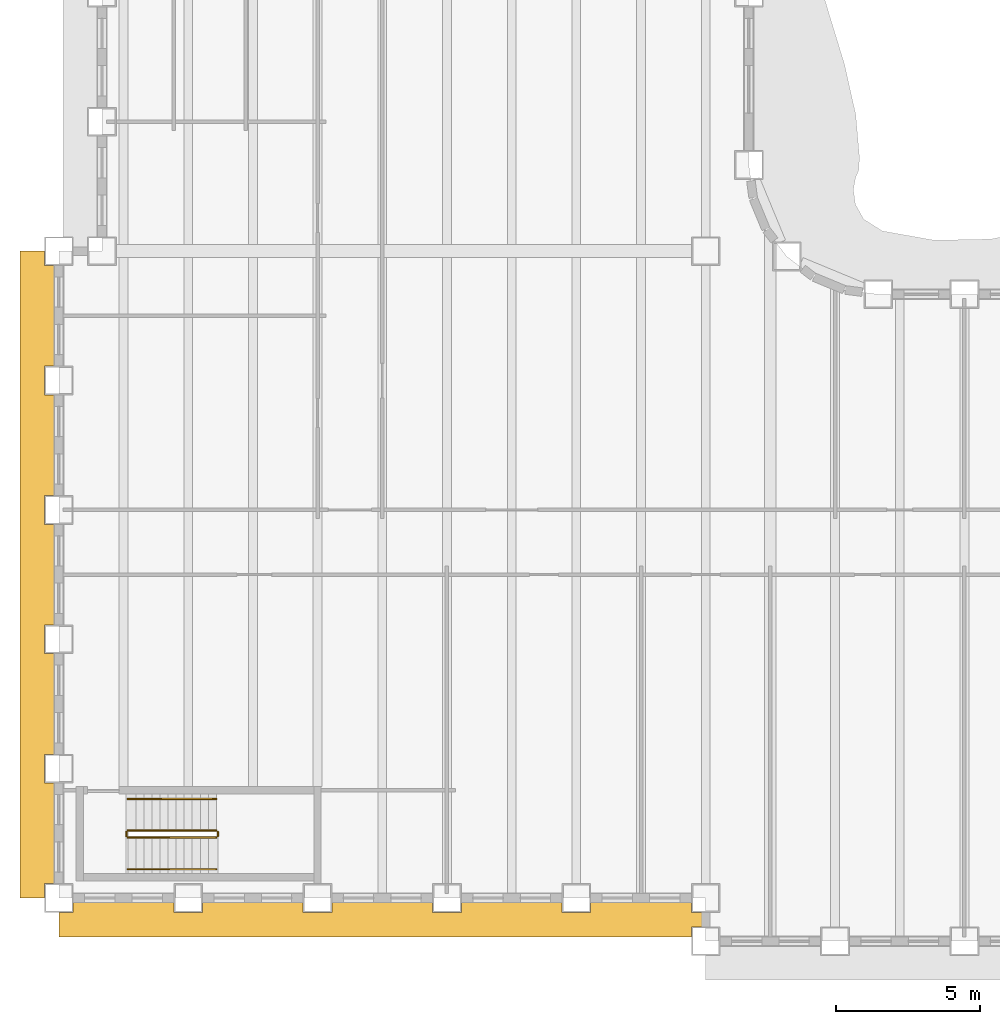
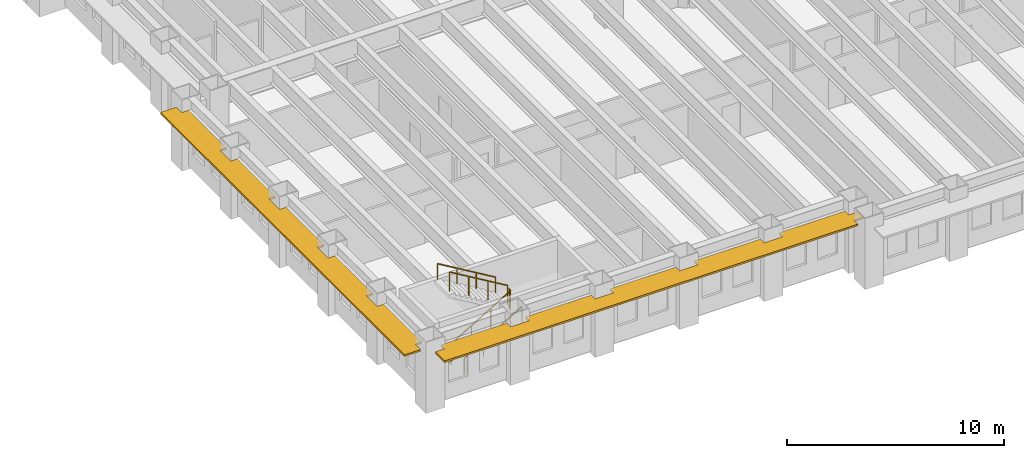
# One storey, part 11 of 16: 6 railings, 2 shading devices.
"""IFC4 building model written with IfcOpenShell, lengths in metres."""

from ifc_helpers import new_model, si_unit, direction, frame, origin, origin_2d, place, context, subcontext, project, spatial, polyline, rectangle, outline, extrude, material, layer, layer_set, type_object, element, save


model = new_model("IFC4")

# Units and contexts
model_context = context("Model", 3, precision=1e-05, world=origin(), true_north=direction((0.0, 1.0)))
body_context = subcontext(model_context, "Body", "Model", "MODEL_VIEW")
ifc_project = project(units=[si_unit("LENGTHUNIT", "METRE"), si_unit("AREAUNIT", "SQUARE_METRE"), si_unit("VOLUMEUNIT", "CUBIC_METRE"), si_unit("PLANEANGLEUNIT", "RADIAN"), si_unit("MASSUNIT", "GRAM", prefix="KILO")], contexts=[model_context])

# Site, building, storey
site_placement = place(None, origin())
site = spatial("IfcSite", under=ifc_project, at=site_placement, CompositionType="ELEMENT")
building_placement = place(site_placement, origin())
building = spatial("IfcBuilding", under=site, at=building_placement, Name="Sennacour Bend Tower", CompositionType="ELEMENT")
storey_placement = place(building_placement, frame((0.0, 0.0, 123.0)))
storey = spatial("IfcBuildingStorey", under=building, at=storey_placement, Name="L28", CompositionType="ELEMENT", Elevation=123.0)

# Railings
ifc_material_1 = material(Name="Stainless steel", Category="steel")
railing_type_1 = type_object("IfcRailingType", Name="RL-GUARD-1100", PredefinedType="GUARDRAIL", material=ifc_material_1)
railing_1_placement = place(storey_placement, frame((2.39990234375, 2.10009765625, 0.166748046875)))
element("IfcRailing", 1, at=railing_1_placement, inside=storey, type_object=railing_type_1, Name="L28 SK1 stair guard 1", PredefinedType="GUARDRAIL", context=body_context, shape_type="SweptSolid", body=[
    extrude(rectangle(XDim=0.048095703125, YDim=0.048095703125, at=origin_2d()), frame((0.0, 0.0, 1.076171875), z_axis=(0.859308565015, 0.0, 0.511457515432), x_axis=(0.0, 1.0, 0.0)), (0.0, 0.0, 1.0), 3.58447265625),
    extrude(rectangle(XDim=0.0419921875, YDim=0.0419921875, at=origin_2d()), origin(), (0.0, 0.0, 1.0), 1.052001953125),
    extrude(rectangle(XDim=0.0419921875, YDim=0.0419921875, at=origin_2d()), frame((1.026611328125, 0.0, 0.611083984375)), (0.0, 0.0, 1.0), 1.052001953125),
    extrude(rectangle(XDim=0.0419921875, YDim=0.0419921875, at=origin_2d()), frame((2.053466796875, 0.0, 1.22216796875)), (0.0, 0.0, 1.0), 1.052001953125),
    extrude(rectangle(XDim=0.0419921875, YDim=0.0419921875, at=origin_2d()), frame((3.080078125, 0.0, 1.833251953125)), (0.0, 0.0, 1.0), 1.052001953125),
])
railing_2_placement = place(storey_placement, frame((5.530029296875, 2.14990234375, 2.0)))
element("IfcRailing", 2, at=railing_2_placement, inside=storey, type_object=railing_type_1, Name="L28 SK1 stair guard 2", PredefinedType="GUARDRAIL", context=body_context, shape_type="SweptSolid", body=[
    extrude(rectangle(XDim=0.048095703125, YDim=0.048095703125, at=origin_2d()), frame((0.0, 0.0, 1.076171875), z_axis=(0.0, 1.0, 0.0), x_axis=(-1.0, 0.0, 0.0)), (0.0, 0.0, 1.0), 0.150146484375),
    extrude(rectangle(XDim=0.0419921875, YDim=0.0419921875, at=origin_2d()), origin(), (0.0, 0.0, 1.0), 1.052001953125),
    extrude(rectangle(XDim=0.0419921875, YDim=0.0419921875, at=origin_2d()), frame((0.0, 0.150146484375, 0.0)), (0.0, 0.0, 1.0), 1.052001953125),
])
railing_3_placement = place(storey_placement, frame((5.47998046875, 2.35009765625, 2.166748046875)))
element("IfcRailing", 3, at=railing_3_placement, inside=storey, type_object=railing_type_1, Name="L28 SK1 stair guard 3", PredefinedType="GUARDRAIL", context=body_context, shape_type="SweptSolid", body=[
    extrude(rectangle(XDim=0.048095703125, YDim=0.048095703125, at=origin_2d()), frame((0.0, 0.0, 1.076171875), z_axis=(-0.859308565015, 0.0, 0.511457515432), x_axis=(0.0, -1.0, 0.0)), (0.0, 0.0, 1.0), 3.58447265625),
    extrude(rectangle(XDim=0.0419921875, YDim=0.0419921875, at=origin_2d()), origin(), (0.0, 0.0, 1.0), 1.052001953125),
    extrude(rectangle(XDim=0.0419921875, YDim=0.0419921875, at=origin_2d()), frame((-1.026611328125, 0.0, 0.611083984375)), (0.0, 0.0, 1.0), 1.052001953125),
    extrude(rectangle(XDim=0.0419921875, YDim=0.0419921875, at=origin_2d()), frame((-2.053466796875, 0.0, 1.22216796875)), (0.0, 0.0, 1.0), 1.052001953125),
    extrude(rectangle(XDim=0.0419921875, YDim=0.0419921875, at=origin_2d()), frame((-3.080078125, 0.0, 1.833251953125)), (0.0, 0.0, 1.0), 1.052001953125),
])
railing_4_placement = place(storey_placement, frame((2.35009765625, 2.14990234375, 0.0)))
element("IfcRailing", 4, at=railing_4_placement, inside=storey, type_object=railing_type_1, Name="L28 SK1 stair guard 4", PredefinedType="GUARDRAIL", context=body_context, shape_type="SweptSolid", body=[
    extrude(rectangle(XDim=0.048095703125, YDim=0.048095703125, at=origin_2d()), frame((0.0, 0.0, 1.076171875), z_axis=(0.0, 1.0, 0.0), x_axis=(-1.0, 0.0, 0.0)), (0.0, 0.0, 1.0), 0.150146484375),
    extrude(rectangle(XDim=0.0419921875, YDim=0.0419921875, at=origin_2d()), origin(), (0.0, 0.0, 1.0), 1.052001953125),
    extrude(rectangle(XDim=0.0419921875, YDim=0.0419921875, at=origin_2d()), frame((0.0, 0.150146484375, 0.0)), (0.0, 0.0, 1.0), 1.052001953125),
])
railing_type_2 = type_object("IfcRailingType", Name="RL-HANDRAIL-900", PredefinedType="HANDRAIL", material=ifc_material_1)
railing_5_placement = place(storey_placement, frame((2.39990234375, 1.0, 0.166748046875)))
element("IfcRailing", 5, at=railing_5_placement, inside=storey, type_object=railing_type_2, Name="L28 SK1 stair handrail 1", PredefinedType="HANDRAIL", context=body_context, shape_type="SweptSolid", body=[
    extrude(rectangle(XDim=0.048095703125, YDim=0.048095703125, at=origin_2d()), frame((0.0, 0.0, 0.8759765625), z_axis=(0.859308565015, 0.0, 0.511457515432), x_axis=(0.0, 1.0, 0.0)), (0.0, 0.0, 1.0), 3.58447265625),
    extrude(rectangle(XDim=0.0419921875, YDim=0.0419921875, at=origin_2d()), origin(), (0.0, 0.0, 1.0), 0.851806640625),
    extrude(rectangle(XDim=0.0419921875, YDim=0.0419921875, at=origin_2d()), frame((1.026611328125, 0.0, 0.611083984375)), (0.0, 0.0, 1.0), 0.851806640625),
    extrude(rectangle(XDim=0.0419921875, YDim=0.0419921875, at=origin_2d()), frame((2.053466796875, 0.0, 1.22216796875)), (0.0, 0.0, 1.0), 0.851806640625),
    extrude(rectangle(XDim=0.0419921875, YDim=0.0419921875, at=origin_2d()), frame((3.080078125, 0.0, 1.833251953125)), (0.0, 0.0, 1.0), 0.851806640625),
])
railing_6_placement = place(storey_placement, frame((5.47998046875, 3.449951171875, 2.166748046875)))
element("IfcRailing", 6, at=railing_6_placement, inside=storey, type_object=railing_type_2, Name="L28 SK1 stair handrail 2", PredefinedType="HANDRAIL", context=body_context, shape_type="SweptSolid", body=[
    extrude(rectangle(XDim=0.048095703125, YDim=0.048095703125, at=origin_2d()), frame((0.0, 0.0, 0.8759765625), z_axis=(-0.859308565015, 0.0, 0.511457515432), x_axis=(0.0, -1.0, 0.0)), (0.0, 0.0, 1.0), 3.58447265625),
    extrude(rectangle(XDim=0.0419921875, YDim=0.0419921875, at=origin_2d()), origin(), (0.0, 0.0, 1.0), 0.851806640625),
    extrude(rectangle(XDim=0.0419921875, YDim=0.0419921875, at=origin_2d()), frame((-1.026611328125, 0.0, 0.611083984375)), (0.0, 0.0, 1.0), 0.851806640625),
    extrude(rectangle(XDim=0.0419921875, YDim=0.0419921875, at=origin_2d()), frame((-2.053466796875, 0.0, 1.22216796875)), (0.0, 0.0, 1.0), 0.851806640625),
    extrude(rectangle(XDim=0.0419921875, YDim=0.0419921875, at=origin_2d()), frame((-3.080078125, 0.0, 1.833251953125)), (0.0, 0.0, 1.0), 0.851806640625),
])

# Shading devices
ifc_material_2 = material(Name="Bronze anodised aluminium", Category="aluminium")
ifc_layer = layer(ifc_material_2, 0.10009765625, Name="Bronze anodised aluminium", Category="aluminium")
ifc_layer_set = layer_set([ifc_layer], Name="Bronze anodised aluminium")
shading_device_type = type_object("IfcShadingDeviceType", Name="SUNSHADE BAND STRAIGHT", PredefinedType="USERDEFINED", material=ifc_layer_set)
shading_device_1_placement = place(storey_placement, frame((0.0, 0.0, 3.053955078125)))
element("IfcShadingDevice", 7, at=shading_device_1_placement, inside=storey, type_object=shading_device_type, Name="Sunshade band L28 K outer face", ObjectType="SUNSHADE", PredefinedType="USERDEFINED", context=body_context, shape_type="SweptSolid", body=[
    extrude(outline(polyline([(-0.14990234375, 18.5), (-0.5, 18.5), (-0.5, 17.5), (-0.14990234375, 17.5), (-0.14990234375, 14.0), (-0.5, 14.0), (-0.5, 13.0), (-0.14990234375, 13.0), (-0.14990234375, 9.5), (-0.5, 9.5), (-0.5, 8.5), (-0.14990234375, 8.5), (-0.14990234375, 5.0), (-0.5, 5.0), (-0.5, 4.0), (-0.14990234375, 4.0), (-0.14990234375, 0.5), (-0.5, 0.5), (-0.5, 0.0), (-1.35009765625, 0.0), (-1.35009765625, 22.5), (-0.5, 22.5), (-0.5, 22.0), (-0.14990234375, 22.0), (-0.14990234375, 18.5)])), origin(), (0.0, 0.0, 1.0), 0.10009765625),
])
shading_device_2_placement = place(storey_placement, frame((0.0, 0.0, 3.053955078125)))
element("IfcShadingDevice", 8, at=shading_device_2_placement, inside=storey, type_object=shading_device_type, Name="Sunshade band L28 K outer face", ObjectType="SUNSHADE", PredefinedType="USERDEFINED", context=body_context, shape_type="SweptSolid", body=[
    extrude(outline(polyline([(4.0, -0.14990234375), (4.0, -0.5), (5.0, -0.5), (5.0, -0.14990234375), (8.5, -0.14990234375), (8.5, -0.5), (9.5, -0.5), (9.5, -0.14990234375), (13.0, -0.14990234375), (13.0, -0.5), (14.0, -0.5), (14.0, -0.14990234375), (17.5, -0.14990234375), (17.5, -0.5), (18.5, -0.5), (18.5, -0.14990234375), (22.0, -0.14990234375), (22.0, -0.5), (22.5, -0.5), (22.5, -1.0), (22.0, -1.0), (22.0, -1.35009765625), (0.0, -1.35009765625), (0.0, -0.5), (0.5, -0.5), (0.5, -0.14990234375), (4.0, -0.14990234375)])), origin(), (0.0, 0.0, 1.0), 0.10009765625),
])

save(model, "model.ifc")
